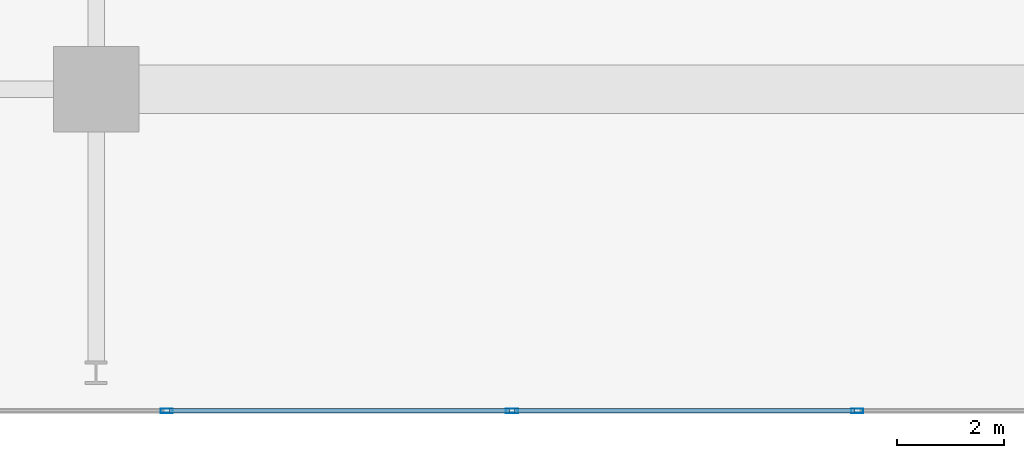
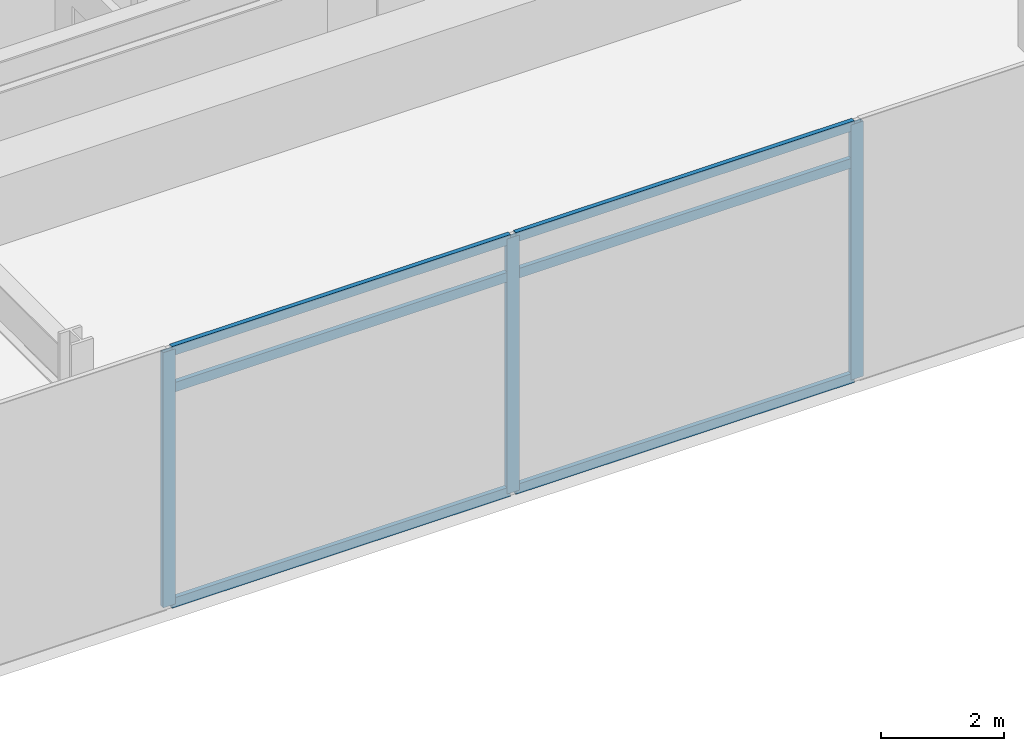
# One storey, part 4 of 23: 9 members, 1 element without a shape of its own.
"""IFC4 building model written with IfcOpenShell, lengths in metres."""

from ifc_helpers import new_model, si_unit, direction, frame, origin, origin_2d, place, context, subcontext, project, spatial, hollow_rectangle, extrude, material, material_profile, profile_set, type_object, element, aggregate, save


model = new_model("IFC4")

# Units and contexts
model_context = context("Model", 3, precision=1e-05, world=origin(), true_north=direction((0.0, 1.0)))
body_context = subcontext(model_context, "Body", "Model", "MODEL_VIEW")
ifc_project = project(units=[si_unit("LENGTHUNIT", "METRE"), si_unit("AREAUNIT", "SQUARE_METRE"), si_unit("VOLUMEUNIT", "CUBIC_METRE"), si_unit("PLANEANGLEUNIT", "RADIAN"), si_unit("MASSUNIT", "GRAM", prefix="KILO")], contexts=[model_context])

# Site, building, storey
site_placement = place(None, origin())
site = spatial("IfcSite", under=ifc_project, at=site_placement, CompositionType="ELEMENT")
building_placement = place(site_placement, origin())
building = spatial("IfcBuilding", under=site, at=building_placement, Name="Kovane Verandah Tower", CompositionType="ELEMENT")
storey_placement = place(building_placement, frame((0.0, 0.0, 107.60009765625)))
storey = spatial("IfcBuildingStorey", under=building, at=storey_placement, Name="L25", CompositionType="ELEMENT", Elevation=107.60009765625)

# Curtain wall, members
ifc_material_1 = material(Name="Champagne Anodised Aluminium Frame with Low-E Clear Laminated Glass", Category="aluminium")
curtain_wall_type = type_object("IfcCurtainWallType", Name="CW-SYS-02-LOW", PredefinedType="NOTDEFINED", material=ifc_material_1)
curtain_wall_placement = place(storey_placement, origin())
curtain_wall = element("IfcCurtainWall", 1, at=curtain_wall_placement, inside=storey, type_object=curtain_wall_type, Name="L25 S Unitised Curtain Wall", PredefinedType="NOTDEFINED")
ifc_material_2 = material(Name="Champagne Anodised Aluminium 6063-T6", Category="aluminium")
ifc_material_profile_1 = material_profile(ifc_material_2, hollow_rectangle(XDim=0.0849609375, YDim=0.22998046875, WallThickness=0.00390625, at=origin_2d()), Name="AL85x230x4")
ifc_profile_set_1 = profile_set([ifc_material_profile_1], Name="Champagne Anodised Aluminium 6063-T6")
member_type_1 = type_object("IfcMemberType", Name="CW-MUL-85x230", PredefinedType="MULLION", material=ifc_profile_set_1)
member_1_placement = place(storey_placement, frame((30.31982421875, 4.7890625, 0.02001953125), z_axis=(0.0, 0.0, 1.0), x_axis=(0.0, -1.0, 0.0)))
member_1 = element("IfcMember", 2, at=member_1_placement, type_object=member_type_1, Name="L25 S Unitised Curtain Wall Mullion 3", PredefinedType="MULLION", context=body_context, shape_type="SweptSolid", body=[
    extrude(hollow_rectangle(XDim=0.0849609375, YDim=0.22998046875, WallThickness=0.00390625, at=origin_2d()), origin(), (0.0, 0.0, 1.0), 5.059814453125),
])
member_2_placement = place(storey_placement, frame((36.773193359375, 4.7890625, 0.02001953125), z_axis=(0.0, 0.0, 1.0), x_axis=(0.0, -1.0, 0.0)))
member_2 = element("IfcMember", 3, at=member_2_placement, type_object=member_type_1, Name="L25 S Unitised Curtain Wall Mullion 4", PredefinedType="MULLION", context=body_context, shape_type="SweptSolid", body=[
    extrude(hollow_rectangle(XDim=0.0849609375, YDim=0.22998046875, WallThickness=0.00390625, at=origin_2d()), origin(), (0.0, 0.0, 1.0), 5.059814453125),
])
member_3_placement = place(storey_placement, frame((43.226806640625, 4.7890625, 0.02001953125), z_axis=(0.0, 0.0, 1.0), x_axis=(0.0, -1.0, 0.0)))
member_3 = element("IfcMember", 4, at=member_3_placement, type_object=member_type_1, Name="L25 S Unitised Curtain Wall Mullion 5", PredefinedType="MULLION", context=body_context, shape_type="SweptSolid", body=[
    extrude(hollow_rectangle(XDim=0.0849609375, YDim=0.22998046875, WallThickness=0.00390625, at=origin_2d()), origin(), (0.0, 0.0, 1.0), 5.059814453125),
])
ifc_material_profile_2 = material_profile(ifc_material_2, hollow_rectangle(XDim=0.0849609375, YDim=0.18994140625, WallThickness=0.00390625, at=origin_2d()), Name="AL85x190x4")
ifc_profile_set_2 = profile_set([ifc_material_profile_2], Name="Champagne Anodised Aluminium 6063-T6")
member_type_2 = type_object("IfcMemberType", Name="CW-TRN-85x190", PredefinedType="USERDEFINED", material=ifc_profile_set_2)
member_4_placement = place(storey_placement, frame((30.369873046875, 4.7890625, 0.0498046875), z_axis=(1.0, 0.0, 0.0), x_axis=(0.0, 1.0, 0.0)))
member_4 = element("IfcMember", 5, at=member_4_placement, type_object=member_type_2, Name="L25 S Unitised Curtain Wall Transom TB Bay 3", ObjectType="TRANSOM", PredefinedType="USERDEFINED", context=body_context, shape_type="SweptSolid", body=[
    extrude(hollow_rectangle(XDim=0.0849609375, YDim=0.18994140625, WallThickness=0.00390625, at=origin_2d()), origin(), (0.0, 0.0, 1.0), 6.353515625),
])
member_5_placement = place(storey_placement, frame((30.369873046875, 4.7890625, 4.31982421875), z_axis=(1.0, 0.0, 0.0), x_axis=(0.0, 1.0, 0.0)))
member_5 = element("IfcMember", 6, at=member_5_placement, type_object=member_type_2, Name="L25 S Unitised Curtain Wall Transom TM Bay 3", ObjectType="TRANSOM", PredefinedType="USERDEFINED", context=body_context, shape_type="SweptSolid", body=[
    extrude(hollow_rectangle(XDim=0.0849609375, YDim=0.18994140625, WallThickness=0.00390625, at=origin_2d()), origin(), (0.0, 0.0, 1.0), 6.353515625),
])
member_6_placement = place(storey_placement, frame((30.369873046875, 4.7890625, 5.0498046875), z_axis=(1.0, 0.0, 0.0), x_axis=(0.0, 1.0, 0.0)))
member_6 = element("IfcMember", 7, at=member_6_placement, type_object=member_type_2, Name="L25 S Unitised Curtain Wall Transom TT Bay 3", ObjectType="TRANSOM", PredefinedType="USERDEFINED", context=body_context, shape_type="SweptSolid", body=[
    extrude(hollow_rectangle(XDim=0.0849609375, YDim=0.18994140625, WallThickness=0.00390625, at=origin_2d()), origin(), (0.0, 0.0, 1.0), 6.353515625),
])
member_7_placement = place(storey_placement, frame((36.8232421875, 4.7890625, 0.0498046875), z_axis=(1.0, 0.0, 0.0), x_axis=(0.0, 1.0, 0.0)))
member_7 = element("IfcMember", 8, at=member_7_placement, type_object=member_type_2, Name="L25 S Unitised Curtain Wall Transom TB Bay 4", ObjectType="TRANSOM", PredefinedType="USERDEFINED", context=body_context, shape_type="SweptSolid", body=[
    extrude(hollow_rectangle(XDim=0.0849609375, YDim=0.18994140625, WallThickness=0.00390625, at=origin_2d()), origin(), (0.0, 0.0, 1.0), 6.353515625),
])
member_8_placement = place(storey_placement, frame((36.8232421875, 4.7890625, 4.31982421875), z_axis=(1.0, 0.0, 0.0), x_axis=(0.0, 1.0, 0.0)))
member_8 = element("IfcMember", 9, at=member_8_placement, type_object=member_type_2, Name="L25 S Unitised Curtain Wall Transom TM Bay 4", ObjectType="TRANSOM", PredefinedType="USERDEFINED", context=body_context, shape_type="SweptSolid", body=[
    extrude(hollow_rectangle(XDim=0.0849609375, YDim=0.18994140625, WallThickness=0.00390625, at=origin_2d()), origin(), (0.0, 0.0, 1.0), 6.353515625),
])
member_9_placement = place(storey_placement, frame((36.8232421875, 4.7890625, 5.0498046875), z_axis=(1.0, 0.0, 0.0), x_axis=(0.0, 1.0, 0.0)))
member_9 = element("IfcMember", 10, at=member_9_placement, type_object=member_type_2, Name="L25 S Unitised Curtain Wall Transom TT Bay 4", ObjectType="TRANSOM", PredefinedType="USERDEFINED", context=body_context, shape_type="SweptSolid", body=[
    extrude(hollow_rectangle(XDim=0.0849609375, YDim=0.18994140625, WallThickness=0.00390625, at=origin_2d()), origin(), (0.0, 0.0, 1.0), 6.353515625),
])
aggregate(curtain_wall, [member_1, member_2, member_3, member_4, member_5, member_6, member_7, member_8, member_9])

save(model, "model.ifc")
